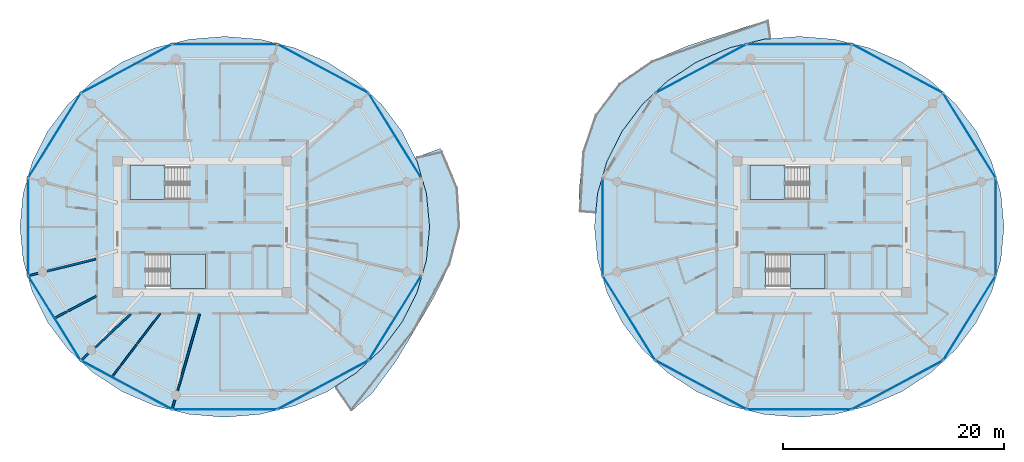
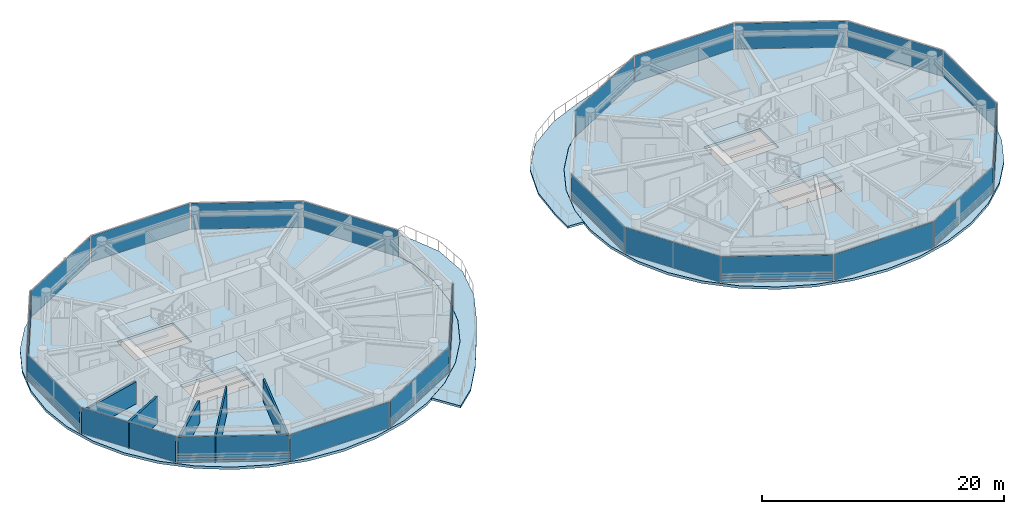
# One storey, part 12 of 22: 22 plates, 8 slabs, 5 walls, 26 elements without a shape of their own.
"""IFC4 building model written with IfcOpenShell, lengths in metres."""

import ifcopenshell
import ifcopenshell.guid

model = None  # the IFC model being written
_history = None  # IfcOwnerHistory: only IFC2X3 demands one
_inside = {}  # id of a spatial element -> (the spatial element, [elements in it])
_under = {}  # id of a project, library or spatial element -> (it, [spatial elements below it])
_declared = {}  # id of a project -> (the project, [libraries it declares])
_typed = {}  # id of a type object -> (the type object, [elements of that type])
_made_of = {}  # id of a material, layer set ... -> (it, [elements and type objects made of it])


def new_model(schema):
    """Start an empty IFC model of exactly this schema.

    Asked for "IFC4X3", IfcOpenShell would pick the latest addendum, in which some entities
    have other attributes; the version numbers below select the first issue.
    IFC2X3 requires an IfcOwnerHistory on every rooted entity: one is made here for all.
    """
    global model, _history
    if schema == "IFC4X3":
        model = ifcopenshell.file(schema_version=(4, 3, 0, 0))
    else:
        model = ifcopenshell.file(schema=schema)
    _inside.clear()
    _under.clear()
    _declared.clear()
    _typed.clear()
    _made_of.clear()
    _history = None
    if model.schema == "IFC2X3":
        org = make("IfcOrganization", Name="unknown")
        user = make(
            "IfcPersonAndOrganization",
            ThePerson=make("IfcPerson", FamilyName="unknown"),
            TheOrganization=org,
        )
        app = make(
            "IfcApplication",
            ApplicationDeveloper=org,
            Version="unknown",
            ApplicationFullName="unknown",
            ApplicationIdentifier="unknown",
        )
        _history = make(
            "IfcOwnerHistory",
            OwningUser=user,
            OwningApplication=app,
            ChangeAction="ADDED",
            CreationDate=0,
        )
    return model


def make(cls, **values):
    """One entity of the class cls with the attributes given. An attribute that is None is left unset."""
    return model.create_entity(
        cls, **{name: value for name, value in values.items() if value is not None}
    )


def rooted(cls, **values):
    """An entity with a GlobalId (a new one), such as an element, a storey or a relation."""
    return make(cls, GlobalId=ifcopenshell.guid.new(), OwnerHistory=_history, **values)


def si_unit(unit_type, name, prefix=None):
    """IfcSIUnit, for example si_unit("LENGTHUNIT", "METRE", prefix="MILLI")."""
    return make("IfcSIUnit", UnitType=unit_type, Prefix=prefix, Name=name)


def assignment(units):
    """IfcUnitAssignment: the units of a project."""
    return None if units is None else make("IfcUnitAssignment", Units=units)


def point(xyz):
    """IfcCartesianPoint."""
    return None if xyz is None else make("IfcCartesianPoint", Coordinates=xyz)


def direction(xyz):
    """IfcDirection."""
    return None if xyz is None else make("IfcDirection", DirectionRatios=xyz)


def frame(location, z_axis=None, x_axis=None):
    """IfcAxis2Placement3D, a coordinate frame: its origin and axes. An axis left out is left unset."""
    return make(
        "IfcAxis2Placement3D",
        Location=point(location),
        Axis=direction(z_axis),
        RefDirection=direction(x_axis),
    )


def frame_2d(location, x_axis=None):
    """IfcAxis2Placement2D, a coordinate frame in the plane: its origin and x axis."""
    return make(
        "IfcAxis2Placement2D", Location=point(location), RefDirection=direction(x_axis)
    )


def origin():
    """The frame at (0, 0, 0) with its axes left unset."""
    return frame((0.0, 0.0, 0.0))


def origin_2d():
    """The frame at (0, 0) in the plane with its x axis left unset."""
    return frame_2d((0.0, 0.0))


def place(relative_to, where):
    """IfcLocalPlacement: puts the frame where relative to a parent placement (None: the world)."""
    return make(
        "IfcLocalPlacement", PlacementRelTo=relative_to, RelativePlacement=where
    )


def context(
    kind, dimensions, precision=None, world=None, true_north=None, identifier=None
):
    """IfcGeometricRepresentationContext, for example the 3D "Model" context."""
    return make(
        "IfcGeometricRepresentationContext",
        ContextIdentifier=identifier,
        ContextType=kind,
        CoordinateSpaceDimension=dimensions,
        Precision=precision,
        WorldCoordinateSystem=world,
        TrueNorth=true_north,
    )


def subcontext(parent, identifier, kind, view, scale=None):
    """IfcGeometricRepresentationSubContext, for example "Body" below "Model"."""
    return make(
        "IfcGeometricRepresentationSubContext",
        ContextIdentifier=identifier,
        ContextType=kind,
        ParentContext=parent,
        TargetScale=scale,
        TargetView=view,
    )


def project(units=None, contexts=None):
    """IfcProject with its units and contexts."""
    return rooted(
        "IfcProject",
        Name="project",
        RepresentationContexts=contexts,
        UnitsInContext=assignment(units),
    )


def spatial(cls, under=None, at=None, **own):
    """A site, building, storey or space (cls), placed at a placement, below another one or the project."""
    s = rooted(cls, ObjectPlacement=at, **own)
    if under is not None:
        _under.setdefault(under.id(), (under, []))[1].append(s)
    return s


def polyline(points):
    """IfcPolyline through the points."""
    return make("IfcPolyline", Points=[point(p) for p in points])


def profile(cls, at=None, kind="AREA", **sizes):
    """A parametric profile (cls). Its sizes go by their IFC names, for example OverallWidth=200.0."""
    return make(cls, ProfileType=kind, Position=at, **sizes)


def rectangle(**sizes):
    """IfcRectangleProfileDef."""
    return profile("IfcRectangleProfileDef", **sizes)


def outline(outer, holes=None, kind="AREA"):
    """IfcArbitraryClosedProfileDef: a profile drawn as a closed curve; with holes, ...WithVoids."""
    if holes is None:
        return make("IfcArbitraryClosedProfileDef", ProfileType=kind, OuterCurve=outer)
    return make(
        "IfcArbitraryProfileDefWithVoids",
        ProfileType=kind,
        OuterCurve=outer,
        InnerCurves=holes,
    )


def extrude(swept, where, along, depth):
    """IfcExtrudedAreaSolid: the profile swept, set in the frame where, extruded along a direction by depth."""
    return make(
        "IfcExtrudedAreaSolid",
        SweptArea=swept,
        Position=where,
        ExtrudedDirection=direction(along),
        Depth=depth,
    )


def shape(context_of_items, identifier, shape_type, items):
    """IfcShapeRepresentation: the items that make up one representation, for example the "Body"."""
    return make(
        "IfcShapeRepresentation",
        ContextOfItems=context_of_items,
        RepresentationIdentifier=identifier,
        RepresentationType=shape_type,
        Items=items,
    )


def source(mapping_origin, context_of_items, identifier, shape_type, items):
    """IfcRepresentationMap: a shape defined once, which mapped items show again and again."""
    return make(
        "IfcRepresentationMap",
        MappingOrigin=mapping_origin,
        MappedRepresentation=shape(context_of_items, identifier, shape_type, items),
    )


def transform(
    local_origin,
    x_axis=None,
    y_axis=None,
    z_axis=None,
    scale=None,
    scale2=None,
    scale3=None,
    uniform=True,
):
    """IfcCartesianTransformationOperator3D, or its non-uniform kind. x_axis, y_axis, z_axis: its Axis1, 2, 3."""
    if uniform:
        return make(
            "IfcCartesianTransformationOperator3D",
            Axis1=direction(x_axis),
            Axis2=direction(y_axis),
            LocalOrigin=point(local_origin),
            Scale=scale,
            Axis3=direction(z_axis),
        )
    return make(
        "IfcCartesianTransformationOperator3DnonUniform",
        Axis1=direction(x_axis),
        Axis2=direction(y_axis),
        LocalOrigin=point(local_origin),
        Scale=scale,
        Axis3=direction(z_axis),
        Scale2=scale2,
        Scale3=scale3,
    )


def mapped(mapping_source, mapping_target):
    """IfcMappedItem: shows the shape of a source again, moved by a transform."""
    return make(
        "IfcMappedItem", MappingSource=mapping_source, MappingTarget=mapping_target
    )


def material(Name=None, Category=None):
    """IfcMaterial."""
    return make("IfcMaterial", Name=Name, Category=Category)


def layer(
    of_material, thickness, ventilated=None, Name=None, Category=None, Priority=None
):
    """IfcMaterialLayer: one layer of a wall or slab, of a material (None: an air gap)."""
    return make(
        "IfcMaterialLayer",
        Material=of_material,
        LayerThickness=thickness,
        IsVentilated=ventilated,
        Name=Name,
        Category=Category,
        Priority=Priority,
    )


def layer_set(layers, Name=None):
    """IfcMaterialLayerSet."""
    return make("IfcMaterialLayerSet", MaterialLayers=layers, LayerSetName=Name)


def made_of(thing, what):
    """Note that an element or type object is made of a material, layer set ...; save() writes the relation."""
    if what is not None:
        _made_of.setdefault(what.id(), (what, []))[1].append(thing)
    return thing


def type_object(cls, material=None, **own):
    """A type object (cls), such as IfcWallType, which elements share."""
    return made_of(rooted(cls, **own), material)


def type_shapes(of_type, sources):
    """Give a type object the sources (RepresentationMaps) that its elements show as mapped items."""
    of_type.RepresentationMaps = sources


def element(
    cls,
    number,
    at=None,
    inside=None,
    cuts=None,
    type_object=None,
    material=None,
    context=None,
    identifier="Body",
    shape_type=None,
    held_by="IfcProductDefinitionShape",
    body=None,
    shapes=None,
    **own,
):
    """One element of the class cls, such as IfcWall. Its Tag is "e" and its number.

    at: its placement. inside: the storey or other place that contains it. cuts: it is an
    opening in that element (IfcRelVoidsElement). A single representation is given by context,
    identifier, shape_type and body (its items); several are given by shapes. held_by: the class
    of the entity that holds the representations. save() writes the other relations.
    """
    e = rooted(cls, Tag="e%d" % number, ObjectPlacement=at, **own)
    if body is not None:
        shapes = [shape(context, identifier, shape_type, body)]
    if shapes is not None:
        e.Representation = make(held_by, Representations=shapes)
    if inside is not None:
        _inside.setdefault(inside.id(), (inside, []))[1].append(e)
    if cuts is not None:
        rooted(
            "IfcRelVoidsElement", RelatingBuildingElement=cuts, RelatedOpeningElement=e
        )
    if type_object is not None:
        _typed.setdefault(type_object.id(), (type_object, []))[1].append(e)
    return made_of(e, material)


def aggregate(whole, parts):
    """IfcRelAggregates: a whole, such as a stair, and the parts it consists of."""
    return rooted("IfcRelAggregates", RelatingObject=whole, RelatedObjects=parts)


def save(model, path):
    """Write the relations noted so far, then the file.

    IfcRelAggregates (storeys below a building ...), IfcRelContainedInSpatialStructure (elements
    in a storey), IfcRelDefinesByType, IfcRelAssociatesMaterial and IfcRelDeclares: one each for
    every whole, place, type object, material and project.
    """
    for whole, parts in _under.values():
        aggregate(whole, parts)
    for where, things in _inside.values():
        rooted(
            "IfcRelContainedInSpatialStructure",
            RelatedElements=things,
            RelatingStructure=where,
        )
    for kind, things in _typed.values():
        rooted("IfcRelDefinesByType", RelatedObjects=things, RelatingType=kind)
    for what, things in _made_of.values():
        rooted("IfcRelAssociatesMaterial", RelatedObjects=things, RelatingMaterial=what)
    for by, libraries in _declared.values():
        rooted("IfcRelDeclares", RelatingContext=by, RelatedDefinitions=libraries)
    model.write(path)


model = new_model("IFC4")

# Units and contexts
model_context = context("Model", 3, precision=1e-05, world=origin(), true_north=direction((0.0, 1.0)))
body_context = subcontext(model_context, "Body", "Model", "MODEL_VIEW")
ifc_project = project(units=[si_unit("LENGTHUNIT", "METRE"), si_unit("AREAUNIT", "SQUARE_METRE"), si_unit("VOLUMEUNIT", "CUBIC_METRE"), si_unit("PLANEANGLEUNIT", "RADIAN"), si_unit("MASSUNIT", "GRAM", prefix="KILO")], contexts=[model_context])

# Site, building, storey
site_placement = place(None, origin())
site = spatial("IfcSite", under=ifc_project, at=site_placement, CompositionType="ELEMENT")
building_placement = place(site_placement, origin())
building = spatial("IfcBuilding", under=site, at=building_placement, Name="Norrkilde Senior Care Towers", CompositionType="ELEMENT")
storey_placement = place(building_placement, frame((0.0, 0.0, 126.75)))
storey = spatial("IfcBuildingStorey", under=building, at=storey_placement, Name="L39", CompositionType="ELEMENT", Elevation=126.75)

# Slabs
ifc_material_1 = material(Name="Concrete C50/60", Category="concrete")
ifc_layer_1 = layer(ifc_material_1, 0.215087890625)
ifc_layer_set_1 = layer_set([ifc_layer_1], Name="Concrete C50/60")
slab_type_1 = type_object("IfcSlabType", Name="Sinusoidal Balcony Ribbon Slab 215", PredefinedType="FLOOR", material=ifc_layer_set_1)
slab_1_placement = place(storey_placement, frame((0.0, 0.0, -0.215087890625)))
element("IfcSlab", 1, at=slab_1_placement, inside=storey, type_object=slab_type_1, Name="L39 Drum W Swirling Senior Balcony 1", PredefinedType="FLOOR", context=body_context, shape_type="SweptSolid", body=[
    extrude(outline(polyline([(-8.778076171875, -9.314453125), (-10.5224609375, -12.189453125), (-12.619873046875, -15.019775390625), (-14.52099609375, -16.665283203125), (-16.02978515625, -14.46533203125), (-14.05517578125, -13.1796875), (-11.7744140625, -11.05908203125), (-9.92431640625, -8.6025390625), (-8.56103515625, -5.884521484375), (-7.72607421875, -2.987548828125), (-7.445068359375, 0.0), (-7.72607421875, 2.987548828125), (-8.56103515625, 5.884521484375), (-8.74609375, 6.253662109375), (-6.4931640625, 7.072509765625), (-6.2705078125, 6.78125), (-4.904541015625, 3.522705078125), (-4.697998046875, 0.0), (-5.590087890625, -3.392822265625), (-7.10595703125, -6.4541015625), (-8.778076171875, -9.314453125)])), origin(), (0.0, 0.0, 1.0), 0.215087890625),
])
slab_2_placement = place(storey_placement, frame((0.0, 0.0, -0.215087890625)))
element("IfcSlab", 2, at=slab_2_placement, inside=storey, type_object=slab_type_1, Name="L39 Drum E Swirling Senior Balcony 1", PredefinedType="FLOOR", context=body_context, shape_type="SweptSolid", body=[
    extrude(outline(polyline([(6.387939453125, 6.7353515625), (7.521728515625, 10.094482421875), (9.68359375, 12.9462890625), (12.635986328125, 14.999267578125), (15.910400390625, 16.36669921875), (19.189208984375, 17.443359375), (22.480712890625, 18.50439453125), (23.1767578125, 18.685302734375), (23.427001953125, 16.999755859375), (22.736572265625, 16.943603515625), (19.620849609375, 16.16748046875), (16.697509765625, 14.89990234375), (14.05517578125, 13.1796875), (11.7744140625, 11.05908203125), (9.92431640625, 8.6025390625), (8.56103515625, 5.884521484375), (7.72607421875, 2.987548828125), (7.5595703125, 1.2177734375), (6.085205078125, 1.3154296875), (6.069091796875, 3.302001953125), (6.387939453125, 6.7353515625)])), origin(), (0.0, 0.0, 1.0), 0.215087890625),
])

# Stair, slab
ifc_material_2 = material(Name="Concrete C45/55", Category="concrete")
stair_type = type_object("IfcStairType", Name="Core Protected Dogleg Stair Typical 3050", PredefinedType="HALF_TURN_STAIR", material=ifc_material_2)
stair_1_placement = place(storey_placement, origin())
stair_1 = element("IfcStair", 3, at=stair_1_placement, inside=storey, type_object=stair_type, Name="L39 Protected Core Stair W1", PredefinedType="HALF_TURN_STAIR")
ifc_layer_2 = layer(ifc_material_2, 0.199951171875)
ifc_layer_set_2 = layer_set([ifc_layer_2], Name="Concrete C45/55")
slab_type_2 = type_object("IfcSlabType", Name="Stair Landing Slab 200", PredefinedType="LANDING", material=ifc_layer_set_2)
slab_3_placement = place(storey_placement, frame((0.0, 0.0, 1.324951171875)))
slab_3 = element("IfcSlab", 4, at=slab_3_placement, type_object=slab_type_2, Name="ST-W1 landing 1", PredefinedType="LANDING", context=body_context, shape_type="SweptSolid", body=[
    extrude(outline(polyline([(-31.340087890625, 5.590087890625), (-34.5, 5.590087890625), (-34.5, 2.449951171875), (-31.340087890625, 2.449951171875), (-31.340087890625, 5.590087890625)])), origin(), (0.0, 0.0, 1.0), 0.199951171875),
])
aggregate(stair_1, [slab_3])

stair_2_placement = place(storey_placement, origin())
stair_2 = element("IfcStair", 5, at=stair_2_placement, inside=storey, type_object=stair_type, Name="L39 Protected Core Stair W2", PredefinedType="HALF_TURN_STAIR")
slab_4_placement = place(storey_placement, frame((0.0, 0.0, 1.324951171875)))
slab_4 = element("IfcSlab", 6, at=slab_4_placement, type_object=slab_type_2, Name="ST-W2 landing 1", PredefinedType="LANDING", context=body_context, shape_type="SweptSolid", body=[
    extrude(outline(polyline([(-30.860107421875, -5.590087890625), (-27.699951171875, -5.590087890625), (-27.699951171875, -2.449951171875), (-30.860107421875, -2.449951171875), (-30.860107421875, -5.590087890625)])), origin(), (0.0, 0.0, 1.0), 0.199951171875),
])
aggregate(stair_2, [slab_4])

stair_3_placement = place(storey_placement, origin())
stair_3 = element("IfcStair", 7, at=stair_3_placement, inside=storey, type_object=stair_type, Name="L39 Protected Core Stair E1", PredefinedType="HALF_TURN_STAIR")
slab_5_placement = place(storey_placement, frame((0.0, 0.0, 1.324951171875)))
slab_5 = element("IfcSlab", 8, at=slab_5_placement, type_object=slab_type_2, Name="ST-E1 landing 1", PredefinedType="LANDING", context=body_context, shape_type="SweptSolid", body=[
    extrude(outline(polyline([(24.659912109375, 5.590087890625), (21.5, 5.590087890625), (21.5, 2.449951171875), (24.659912109375, 2.449951171875), (24.659912109375, 5.590087890625)])), origin(), (0.0, 0.0, 1.0), 0.199951171875),
])
aggregate(stair_3, [slab_5])

stair_4_placement = place(storey_placement, origin())
stair_4 = element("IfcStair", 9, at=stair_4_placement, inside=storey, type_object=stair_type, Name="L39 Protected Core Stair E2", PredefinedType="HALF_TURN_STAIR")
slab_6_placement = place(storey_placement, frame((0.0, 0.0, 1.324951171875)))
slab_6 = element("IfcSlab", 10, at=slab_6_placement, type_object=slab_type_2, Name="ST-E2 landing 1", PredefinedType="LANDING", context=body_context, shape_type="SweptSolid", body=[
    extrude(outline(polyline([(25.139892578125, -5.590087890625), (28.300048828125, -5.590087890625), (28.300048828125, -2.449951171875), (25.139892578125, -2.449951171875), (25.139892578125, -5.590087890625)])), origin(), (0.0, 0.0, 1.0), 0.199951171875),
])
aggregate(stair_4, [slab_6])

# Slabs
ifc_layer_3 = layer(ifc_material_1, 0.260009765625)
ifc_layer_set_3 = layer_set([ifc_layer_3], Name="Concrete C50/60")
slab_type_3 = type_object("IfcSlabType", Name="Tower Care Floor Slab 260", PredefinedType="FLOOR", material=ifc_layer_set_3)
slab_7_placement = place(storey_placement, frame((0.0, 0.0, -0.260009765625)))
element("IfcSlab", 11, at=slab_7_placement, inside=storey, type_object=slab_type_3, Name="L39 Drum W Structural Floor Slab", PredefinedType="FLOOR", context=body_context, shape_type="SweptSolid", body=[
    extrude(outline(polyline([(-8.565673828125, -5.8828125), (-9.928466796875, -8.60009765625), (-11.778076171875, -11.055908203125), (-14.058349609375, -13.176025390625), (-16.699951171875, -14.895751953125), (-19.62255859375, -16.16259765625), (-22.737548828125, -16.938720703125), (-25.949951171875, -17.199951171875), (-29.16259765625, -16.938720703125), (-32.27734375, -16.16259765625), (-35.199951171875, -14.895751953125), (-37.841552734375, -13.176025390625), (-40.121826171875, -11.055908203125), (-41.971435546875, -8.60009765625), (-43.334228515625, -5.8828125), (-44.1689453125, -2.98681640625), (-44.449951171875, 0.0), (-44.1689453125, 2.98681640625), (-43.334228515625, 5.8828125), (-41.971435546875, 8.60009765625), (-40.121826171875, 11.055908203125), (-37.841552734375, 13.176025390625), (-35.199951171875, 14.895751953125), (-32.27734375, 16.16259765625), (-29.16259765625, 16.938720703125), (-25.949951171875, 17.199951171875), (-22.737548828125, 16.938720703125), (-19.62255859375, 16.16259765625), (-16.699951171875, 14.895751953125), (-14.058349609375, 13.176025390625), (-11.778076171875, 11.055908203125), (-9.928466796875, 8.60009765625), (-8.565673828125, 5.8828125), (-7.73095703125, 2.98681640625), (-7.449951171875, 0.0), (-7.73095703125, -2.98681640625), (-8.565673828125, -5.8828125)]), holes=[polyline([(-34.48193359375, 2.468017578125), (-29.117919921875, 2.468017578125), (-29.117919921875, 5.590087890625), (-34.48193359375, 5.590087890625), (-34.48193359375, 2.468017578125)]), polyline([(-27.718017578125, -5.590087890625), (-27.718017578125, -2.468017578125), (-33.08203125, -2.468017578125), (-33.08203125, -5.590087890625), (-27.718017578125, -5.590087890625)])]), origin(), (0.0, 0.0, 1.0), 0.260009765625),
])
slab_8_placement = place(storey_placement, frame((0.0, 0.0, -0.260009765625)))
element("IfcSlab", 12, at=slab_8_placement, inside=storey, type_object=slab_type_3, Name="L39 Drum E Structural Floor Slab", PredefinedType="FLOOR", context=body_context, shape_type="SweptSolid", body=[
    extrude(outline(polyline([(43.334228515625, -5.8828125), (41.971435546875, -8.60009765625), (40.121826171875, -11.055908203125), (37.841552734375, -13.176025390625), (35.199951171875, -14.895751953125), (32.27734375, -16.16259765625), (29.16259765625, -16.938720703125), (25.949951171875, -17.199951171875), (22.737548828125, -16.938720703125), (19.62255859375, -16.16259765625), (16.699951171875, -14.895751953125), (14.058349609375, -13.176025390625), (11.778076171875, -11.055908203125), (9.928466796875, -8.60009765625), (8.565673828125, -5.8828125), (7.73095703125, -2.98681640625), (7.449951171875, 0.0), (7.73095703125, 2.98681640625), (8.565673828125, 5.8828125), (9.928466796875, 8.60009765625), (11.778076171875, 11.055908203125), (14.058349609375, 13.176025390625), (16.699951171875, 14.895751953125), (19.62255859375, 16.16259765625), (22.737548828125, 16.938720703125), (25.949951171875, 17.199951171875), (29.16259765625, 16.938720703125), (32.27734375, 16.16259765625), (35.199951171875, 14.895751953125), (37.841552734375, 13.176025390625), (40.121826171875, 11.055908203125), (41.971435546875, 8.60009765625), (43.334228515625, 5.8828125), (44.1689453125, 2.98681640625), (44.449951171875, 0.0), (44.1689453125, -2.98681640625), (43.334228515625, -5.8828125)]), holes=[polyline([(21.51806640625, 2.468017578125), (26.882080078125, 2.468017578125), (26.882080078125, 5.590087890625), (21.51806640625, 5.590087890625), (21.51806640625, 2.468017578125)]), polyline([(28.281982421875, -5.590087890625), (28.281982421875, -2.468017578125), (22.91796875, -2.468017578125), (22.91796875, -5.590087890625), (28.281982421875, -5.590087890625)])]), origin(), (0.0, 0.0, 1.0), 0.260009765625),
])

# Curtain wall, plate
ifc_material_3 = material(Name="Triple Low-E Insulated Glazing", Category="glass")
ifc_layer_4 = layer(ifc_material_3, 0.195068359375)
ifc_layer_set_4 = layer_set([ifc_layer_4], Name="Triple Low-E Insulated Glazing")
curtain_wall_type = type_object("IfcCurtainWallType", Name="CW3 Zone 2 Assisted Living Curtain Wall", PredefinedType="NOTDEFINED", material=ifc_layer_set_4)
curtain_wall_1_placement = place(storey_placement, origin())
curtain_wall_1 = element("IfcCurtainWall", 13, at=curtain_wall_1_placement, inside=storey, type_object=curtain_wall_type, Name="L39 Drum W Curtain Wall 00", PredefinedType="NOTDEFINED")
ifc_layer_5 = layer(ifc_material_3, 0.035888671875)
ifc_layer_set_5 = layer_set([ifc_layer_5], Name="Triple Low-E Insulated Glazing")
plate_type = type_object("IfcPlateType", Name="Triple Low-E Vision Curtain Panel 36", PredefinedType="CURTAIN_PANEL", material=ifc_layer_set_5)
shared_shape_1 = source(origin(), body_context, "Body", "SweptSolid", [
    extrude(rectangle(XDim=8.88427734375, YDim=0.035888671875, at=origin_2d()), origin(), (0.0, 0.0, 1.0), 2.610107421875),
])
plate_1_placement = place(storey_placement, frame((-10.574951171875, 8.2490234375, 0.06005859375), z_axis=(0.0, 0.0, 1.0), x_axis=(0.527733228002, -0.849410171862, 0.0)))
plate_1 = element("IfcPlate", 14, at=plate_1_placement, type_object=plate_type, Name="CW-3 panel 1.1", PredefinedType="CURTAIN_PANEL", context=body_context, shape_type="MappedRepresentation", body=[
    mapped(shared_shape_1, transform((0.0, 0.0, 0.0), x_axis=(1.0, 0.0, 0.0), y_axis=(0.0, 1.0, 0.0), z_axis=(0.0, 0.0, 1.0), scale=1.0)),
])
aggregate(curtain_wall_1, [plate_1])

curtain_wall_2_placement = place(storey_placement, origin())
curtain_wall_2 = element("IfcCurtainWall", 15, at=curtain_wall_2_placement, inside=storey, type_object=curtain_wall_type, Name="L39 Drum W Curtain Wall 04", PredefinedType="NOTDEFINED")
plate_2_placement = place(storey_placement, frame((-41.3251953125, 8.2490234375, 0.06005859375), z_axis=(0.0, 0.0, 1.0), x_axis=(0.527733228002, 0.849410171862, 0.0)))
plate_2 = element("IfcPlate", 16, at=plate_2_placement, type_object=plate_type, Name="CW-3 panel 1.1", PredefinedType="CURTAIN_PANEL", context=body_context, shape_type="MappedRepresentation", body=[
    mapped(shared_shape_1, transform((0.0, 0.0, 0.0), x_axis=(1.0, 0.0, 0.0), y_axis=(0.0, 1.0, 0.0), z_axis=(0.0, 0.0, 1.0), scale=1.0)),
])
aggregate(curtain_wall_2, [plate_2])

curtain_wall_3_placement = place(storey_placement, origin())
curtain_wall_3 = element("IfcCurtainWall", 17, at=curtain_wall_3_placement, inside=storey, type_object=curtain_wall_type, Name="L39 Drum W Curtain Wall 06", PredefinedType="NOTDEFINED")
plate_3_placement = place(storey_placement, frame((-41.3251953125, -8.2490234375, 0.06005859375), z_axis=(0.0, 0.0, 1.0), x_axis=(-0.527733228002, 0.849410171862, 0.0)))
plate_3 = element("IfcPlate", 18, at=plate_3_placement, type_object=plate_type, Name="CW-3 panel 1.1", PredefinedType="CURTAIN_PANEL", context=body_context, shape_type="MappedRepresentation", body=[
    mapped(shared_shape_1, transform((0.0, 0.0, 0.0), x_axis=(1.0, 0.0, 0.0), y_axis=(0.0, 1.0, 0.0), z_axis=(0.0, 0.0, 1.0), scale=1.0)),
])
aggregate(curtain_wall_3, [plate_3])

curtain_wall_4_placement = place(storey_placement, origin())
curtain_wall_4 = element("IfcCurtainWall", 19, at=curtain_wall_4_placement, inside=storey, type_object=curtain_wall_type, Name="L39 Drum W Curtain Wall 10", PredefinedType="NOTDEFINED")
plate_4_placement = place(storey_placement, frame((-10.574951171875, -8.2490234375, 0.06005859375), z_axis=(0.0, 0.0, 1.0), x_axis=(-0.527733228002, -0.849410171862, 0.0)))
plate_4 = element("IfcPlate", 20, at=plate_4_placement, type_object=plate_type, Name="CW-3 panel 1.1", PredefinedType="CURTAIN_PANEL", context=body_context, shape_type="MappedRepresentation", body=[
    mapped(shared_shape_1, transform((0.0, 0.0, 0.0), x_axis=(1.0, 0.0, 0.0), y_axis=(0.0, 1.0, 0.0), z_axis=(0.0, 0.0, 1.0), scale=1.0)),
])
aggregate(curtain_wall_4, [plate_4])

curtain_wall_5_placement = place(storey_placement, origin())
curtain_wall_5 = element("IfcCurtainWall", 21, at=curtain_wall_5_placement, inside=storey, type_object=curtain_wall_type, Name="L39 Drum E Curtain Wall 00", PredefinedType="NOTDEFINED")
plate_5_placement = place(storey_placement, frame((41.3251953125, 8.2490234375, 0.06005859375), z_axis=(0.0, 0.0, 1.0), x_axis=(0.527733228002, -0.849410171862, 0.0)))
plate_5 = element("IfcPlate", 22, at=plate_5_placement, type_object=plate_type, Name="CW-3 panel 1.1", PredefinedType="CURTAIN_PANEL", context=body_context, shape_type="MappedRepresentation", body=[
    mapped(shared_shape_1, transform((0.0, 0.0, 0.0), x_axis=(1.0, 0.0, 0.0), y_axis=(0.0, 1.0, 0.0), z_axis=(0.0, 0.0, 1.0), scale=1.0)),
])
aggregate(curtain_wall_5, [plate_5])

curtain_wall_6_placement = place(storey_placement, origin())
curtain_wall_6 = element("IfcCurtainWall", 23, at=curtain_wall_6_placement, inside=storey, type_object=curtain_wall_type, Name="L39 Drum E Curtain Wall 06", PredefinedType="NOTDEFINED")
plate_6_placement = place(storey_placement, frame((10.574951171875, -8.2490234375, 0.06005859375), z_axis=(0.0, 0.0, 1.0), x_axis=(-0.527733228002, 0.849410171862, 0.0)))
plate_6 = element("IfcPlate", 24, at=plate_6_placement, type_object=plate_type, Name="CW-3 panel 1.1", PredefinedType="CURTAIN_PANEL", context=body_context, shape_type="MappedRepresentation", body=[
    mapped(shared_shape_1, transform((0.0, 0.0, 0.0), x_axis=(1.0, 0.0, 0.0), y_axis=(0.0, 1.0, 0.0), z_axis=(0.0, 0.0, 1.0), scale=1.0)),
])
aggregate(curtain_wall_6, [plate_6])

curtain_wall_7_placement = place(storey_placement, origin())
curtain_wall_7 = element("IfcCurtainWall", 25, at=curtain_wall_7_placement, inside=storey, type_object=curtain_wall_type, Name="L39 Drum E Curtain Wall 10", PredefinedType="NOTDEFINED")
plate_7_placement = place(storey_placement, frame((41.3251953125, -8.2490234375, 0.06005859375), z_axis=(0.0, 0.0, 1.0), x_axis=(-0.527733228002, -0.849410171862, 0.0)))
plate_7 = element("IfcPlate", 26, at=plate_7_placement, type_object=plate_type, Name="CW-3 panel 1.1", PredefinedType="CURTAIN_PANEL", context=body_context, shape_type="MappedRepresentation", body=[
    mapped(shared_shape_1, transform((0.0, 0.0, 0.0), x_axis=(1.0, 0.0, 0.0), y_axis=(0.0, 1.0, 0.0), z_axis=(0.0, 0.0, 1.0), scale=1.0)),
])
aggregate(curtain_wall_7, [plate_7])

curtain_wall_8_placement = place(storey_placement, origin())
curtain_wall_8 = element("IfcCurtainWall", 27, at=curtain_wall_8_placement, inside=storey, type_object=curtain_wall_type, Name="L39 Drum W Curtain Wall 01", PredefinedType="NOTDEFINED")
shared_shape_2 = source(origin(), body_context, "Body", "SweptSolid", [
    extrude(rectangle(XDim=9.220458984375, YDim=0.035888671875, at=origin_2d()), origin(), (0.0, 0.0, 1.0), 2.610107421875),
])
plate_8_placement = place(storey_placement, frame((-17.0732421875, 14.28759765625, 0.06005859375), z_axis=(0.0, 0.0, 1.0), x_axis=(0.881186184668, -0.472769402511, 0.0)))
plate_8 = element("IfcPlate", 28, at=plate_8_placement, type_object=plate_type, Name="CW-3 panel 1.1", PredefinedType="CURTAIN_PANEL", context=body_context, shape_type="MappedRepresentation", body=[
    mapped(shared_shape_2, transform((0.0, 0.0, 0.0), x_axis=(1.0, 0.0, 0.0), y_axis=(0.0, 1.0, 0.0), z_axis=(0.0, 0.0, 1.0), scale=1.0)),
])
aggregate(curtain_wall_8, [plate_8])

curtain_wall_9_placement = place(storey_placement, origin())
curtain_wall_9 = element("IfcCurtainWall", 29, at=curtain_wall_9_placement, inside=storey, type_object=curtain_wall_type, Name="L39 Drum W Curtain Wall 03", PredefinedType="NOTDEFINED")
plate_9_placement = place(storey_placement, frame((-34.826904296875, 14.28759765625, 0.06005859375), z_axis=(0.0, 0.0, 1.0), x_axis=(0.881186184668, 0.472769402511, 0.0)))
plate_9 = element("IfcPlate", 30, at=plate_9_placement, type_object=plate_type, Name="CW-3 panel 1.1", PredefinedType="CURTAIN_PANEL", context=body_context, shape_type="MappedRepresentation", body=[
    mapped(shared_shape_2, transform((0.0, 0.0, 0.0), x_axis=(1.0, 0.0, 0.0), y_axis=(0.0, 1.0, 0.0), z_axis=(0.0, 0.0, 1.0), scale=1.0)),
])
aggregate(curtain_wall_9, [plate_9])

curtain_wall_10_placement = place(storey_placement, origin())
curtain_wall_10 = element("IfcCurtainWall", 31, at=curtain_wall_10_placement, inside=storey, type_object=curtain_wall_type, Name="L39 Drum W Curtain Wall 07", PredefinedType="NOTDEFINED")
plate_10_placement = place(storey_placement, frame((-34.826904296875, -14.28759765625, 0.06005859375), z_axis=(0.0, 0.0, 1.0), x_axis=(-0.881186184668, 0.472769402511, 0.0)))
plate_10 = element("IfcPlate", 32, at=plate_10_placement, type_object=plate_type, Name="CW-3 panel 1.1", PredefinedType="CURTAIN_PANEL", context=body_context, shape_type="MappedRepresentation", body=[
    mapped(shared_shape_2, transform((0.0, 0.0, 0.0), x_axis=(1.0, 0.0, 0.0), y_axis=(0.0, 1.0, 0.0), z_axis=(0.0, 0.0, 1.0), scale=1.0)),
])
aggregate(curtain_wall_10, [plate_10])

curtain_wall_11_placement = place(storey_placement, origin())
curtain_wall_11 = element("IfcCurtainWall", 33, at=curtain_wall_11_placement, inside=storey, type_object=curtain_wall_type, Name="L39 Drum W Curtain Wall 09", PredefinedType="NOTDEFINED")
plate_11_placement = place(storey_placement, frame((-17.0732421875, -14.28759765625, 0.06005859375), z_axis=(0.0, 0.0, 1.0), x_axis=(-0.881186184668, -0.472769402511, 0.0)))
plate_11 = element("IfcPlate", 34, at=plate_11_placement, type_object=plate_type, Name="CW-3 panel 1.1", PredefinedType="CURTAIN_PANEL", context=body_context, shape_type="MappedRepresentation", body=[
    mapped(shared_shape_2, transform((0.0, 0.0, 0.0), x_axis=(1.0, 0.0, 0.0), y_axis=(0.0, 1.0, 0.0), z_axis=(0.0, 0.0, 1.0), scale=1.0)),
])
aggregate(curtain_wall_11, [plate_11])

curtain_wall_12_placement = place(storey_placement, origin())
curtain_wall_12 = element("IfcCurtainWall", 35, at=curtain_wall_12_placement, inside=storey, type_object=curtain_wall_type, Name="L39 Drum E Curtain Wall 01", PredefinedType="NOTDEFINED")
plate_12_placement = place(storey_placement, frame((34.826904296875, 14.28759765625, 0.06005859375), z_axis=(0.0, 0.0, 1.0), x_axis=(0.881186184668, -0.472769402511, 0.0)))
plate_12 = element("IfcPlate", 36, at=plate_12_placement, type_object=plate_type, Name="CW-3 panel 1.1", PredefinedType="CURTAIN_PANEL", context=body_context, shape_type="MappedRepresentation", body=[
    mapped(shared_shape_2, transform((0.0, 0.0, 0.0), x_axis=(1.0, 0.0, 0.0), y_axis=(0.0, 1.0, 0.0), z_axis=(0.0, 0.0, 1.0), scale=1.0)),
])
aggregate(curtain_wall_12, [plate_12])

curtain_wall_13_placement = place(storey_placement, origin())
curtain_wall_13 = element("IfcCurtainWall", 37, at=curtain_wall_13_placement, inside=storey, type_object=curtain_wall_type, Name="L39 Drum E Curtain Wall 03", PredefinedType="NOTDEFINED")
plate_13_placement = place(storey_placement, frame((17.0732421875, 14.28759765625, 0.06005859375), z_axis=(0.0, 0.0, 1.0), x_axis=(0.881186184668, 0.472769402511, 0.0)))
plate_13 = element("IfcPlate", 38, at=plate_13_placement, type_object=plate_type, Name="CW-3 panel 1.1", PredefinedType="CURTAIN_PANEL", context=body_context, shape_type="MappedRepresentation", body=[
    mapped(shared_shape_2, transform((0.0, 0.0, 0.0), x_axis=(1.0, 0.0, 0.0), y_axis=(0.0, 1.0, 0.0), z_axis=(0.0, 0.0, 1.0), scale=1.0)),
])
aggregate(curtain_wall_13, [plate_13])

curtain_wall_14_placement = place(storey_placement, origin())
curtain_wall_14 = element("IfcCurtainWall", 39, at=curtain_wall_14_placement, inside=storey, type_object=curtain_wall_type, Name="L39 Drum E Curtain Wall 07", PredefinedType="NOTDEFINED")
plate_14_placement = place(storey_placement, frame((17.0732421875, -14.28759765625, 0.06005859375), z_axis=(0.0, 0.0, 1.0), x_axis=(-0.881186184668, 0.472769402511, 0.0)))
plate_14 = element("IfcPlate", 40, at=plate_14_placement, type_object=plate_type, Name="CW-3 panel 1.1", PredefinedType="CURTAIN_PANEL", context=body_context, shape_type="MappedRepresentation", body=[
    mapped(shared_shape_2, transform((0.0, 0.0, 0.0), x_axis=(1.0, 0.0, 0.0), y_axis=(0.0, 1.0, 0.0), z_axis=(0.0, 0.0, 1.0), scale=1.0)),
])
aggregate(curtain_wall_14, [plate_14])

curtain_wall_15_placement = place(storey_placement, origin())
curtain_wall_15 = element("IfcCurtainWall", 41, at=curtain_wall_15_placement, inside=storey, type_object=curtain_wall_type, Name="L39 Drum E Curtain Wall 09", PredefinedType="NOTDEFINED")
plate_15_placement = place(storey_placement, frame((34.826904296875, -14.28759765625, 0.06005859375), z_axis=(0.0, 0.0, 1.0), x_axis=(-0.881186184668, -0.472769402511, 0.0)))
plate_15 = element("IfcPlate", 42, at=plate_15_placement, type_object=plate_type, Name="CW-3 panel 1.1", PredefinedType="CURTAIN_PANEL", context=body_context, shape_type="MappedRepresentation", body=[
    mapped(shared_shape_2, transform((0.0, 0.0, 0.0), x_axis=(1.0, 0.0, 0.0), y_axis=(0.0, 1.0, 0.0), z_axis=(0.0, 0.0, 1.0), scale=1.0)),
])
aggregate(curtain_wall_15, [plate_15])

curtain_wall_16_placement = place(storey_placement, origin())
curtain_wall_16 = element("IfcCurtainWall", 43, at=curtain_wall_16_placement, inside=storey, type_object=curtain_wall_type, Name="L39 Drum W Curtain Wall 02", PredefinedType="NOTDEFINED")
shared_shape_3 = source(origin(), body_context, "Body", "SweptSolid", [
    extrude(rectangle(XDim=9.38427734375, YDim=0.035888671875, at=origin_2d()), origin(), (0.0, 0.0, 1.0), 2.610107421875),
])
plate_16_placement = place(storey_placement, frame((-25.949951171875, 16.498046875, 0.06005859375), z_axis=(0.0, 0.0, 1.0), x_axis=(1.0, 0.0, 0.0)))
plate_16 = element("IfcPlate", 44, at=plate_16_placement, type_object=plate_type, Name="CW-3 panel 1.1", PredefinedType="CURTAIN_PANEL", context=body_context, shape_type="MappedRepresentation", body=[
    mapped(shared_shape_3, transform((0.0, 0.0, 0.0), x_axis=(1.0, 0.0, 0.0), y_axis=(0.0, 1.0, 0.0), z_axis=(0.0, 0.0, 1.0), scale=1.0)),
])
aggregate(curtain_wall_16, [plate_16])

curtain_wall_17_placement = place(storey_placement, origin())
curtain_wall_17 = element("IfcCurtainWall", 45, at=curtain_wall_17_placement, inside=storey, type_object=curtain_wall_type, Name="L39 Drum W Curtain Wall 08", PredefinedType="NOTDEFINED")
plate_17_placement = place(storey_placement, frame((-25.949951171875, -16.498046875, 0.06005859375), z_axis=(0.0, 0.0, 1.0), x_axis=(-1.0, 0.0, 0.0)))
plate_17 = element("IfcPlate", 46, at=plate_17_placement, type_object=plate_type, Name="CW-3 panel 1.1", PredefinedType="CURTAIN_PANEL", context=body_context, shape_type="MappedRepresentation", body=[
    mapped(shared_shape_3, transform((0.0, 0.0, 0.0), x_axis=(1.0, 0.0, 0.0), y_axis=(0.0, 1.0, 0.0), z_axis=(0.0, 0.0, 1.0), scale=1.0)),
])
aggregate(curtain_wall_17, [plate_17])

curtain_wall_18_placement = place(storey_placement, origin())
curtain_wall_18 = element("IfcCurtainWall", 47, at=curtain_wall_18_placement, inside=storey, type_object=curtain_wall_type, Name="L39 Drum E Curtain Wall 02", PredefinedType="NOTDEFINED")
plate_18_placement = place(storey_placement, frame((25.949951171875, 16.498046875, 0.06005859375), z_axis=(0.0, 0.0, 1.0), x_axis=(1.0, 0.0, 0.0)))
plate_18 = element("IfcPlate", 48, at=plate_18_placement, type_object=plate_type, Name="CW-3 panel 1.1", PredefinedType="CURTAIN_PANEL", context=body_context, shape_type="MappedRepresentation", body=[
    mapped(shared_shape_3, transform((0.0, 0.0, 0.0), x_axis=(1.0, 0.0, 0.0), y_axis=(0.0, 1.0, 0.0), z_axis=(0.0, 0.0, 1.0), scale=1.0)),
])
aggregate(curtain_wall_18, [plate_18])

curtain_wall_19_placement = place(storey_placement, origin())
curtain_wall_19 = element("IfcCurtainWall", 49, at=curtain_wall_19_placement, inside=storey, type_object=curtain_wall_type, Name="L39 Drum E Curtain Wall 08", PredefinedType="NOTDEFINED")
plate_19_placement = place(storey_placement, frame((25.949951171875, -16.498046875, 0.06005859375), z_axis=(0.0, 0.0, 1.0), x_axis=(-1.0, 0.0, 0.0)))
plate_19 = element("IfcPlate", 50, at=plate_19_placement, type_object=plate_type, Name="CW-3 panel 1.1", PredefinedType="CURTAIN_PANEL", context=body_context, shape_type="MappedRepresentation", body=[
    mapped(shared_shape_3, transform((0.0, 0.0, 0.0), x_axis=(1.0, 0.0, 0.0), y_axis=(0.0, 1.0, 0.0), z_axis=(0.0, 0.0, 1.0), scale=1.0)),
])
aggregate(curtain_wall_19, [plate_19])

curtain_wall_20_placement = place(storey_placement, origin())
curtain_wall_20 = element("IfcCurtainWall", 51, at=curtain_wall_20_placement, inside=storey, type_object=curtain_wall_type, Name="L39 Drum W Curtain Wall 05", PredefinedType="NOTDEFINED")
shared_shape_4 = source(origin(), body_context, "Body", "SweptSolid", [
    extrude(rectangle(XDim=8.711181640625, YDim=0.035888671875, at=origin_2d()), origin(), (0.0, 0.0, 1.0), 2.610107421875),
])
type_shapes(plate_type, [shared_shape_1, shared_shape_2, shared_shape_3, shared_shape_4])
plate_20_placement = place(storey_placement, frame((-43.70361328125, 0.0, 0.06005859375), z_axis=(0.0, 0.0, 1.0), x_axis=(0.0, 1.0, 0.0)))
plate_20 = element("IfcPlate", 52, at=plate_20_placement, type_object=plate_type, Name="CW-3 panel 1.1", PredefinedType="CURTAIN_PANEL", context=body_context, shape_type="MappedRepresentation", body=[
    mapped(shared_shape_4, transform((0.0, 0.0, 0.0), x_axis=(1.0, 0.0, 0.0), y_axis=(0.0, 1.0, 0.0), z_axis=(0.0, 0.0, 1.0), scale=1.0)),
])
aggregate(curtain_wall_20, [plate_20])

curtain_wall_21_placement = place(storey_placement, origin())
curtain_wall_21 = element("IfcCurtainWall", 53, at=curtain_wall_21_placement, inside=storey, type_object=curtain_wall_type, Name="L39 Drum E Curtain Wall 05", PredefinedType="NOTDEFINED")
plate_21_placement = place(storey_placement, frame((8.1962890625, 0.0, 0.06005859375), z_axis=(0.0, 0.0, 1.0), x_axis=(0.0, 1.0, 0.0)))
plate_21 = element("IfcPlate", 54, at=plate_21_placement, type_object=plate_type, Name="CW-3 panel 1.1", PredefinedType="CURTAIN_PANEL", context=body_context, shape_type="MappedRepresentation", body=[
    mapped(shared_shape_4, transform((0.0, 0.0, 0.0), x_axis=(1.0, 0.0, 0.0), y_axis=(0.0, 1.0, 0.0), z_axis=(0.0, 0.0, 1.0), scale=1.0)),
])
aggregate(curtain_wall_21, [plate_21])

curtain_wall_22_placement = place(storey_placement, origin())
curtain_wall_22 = element("IfcCurtainWall", 55, at=curtain_wall_22_placement, inside=storey, type_object=curtain_wall_type, Name="L39 Drum E Curtain Wall 11", PredefinedType="NOTDEFINED")
plate_22_placement = place(storey_placement, frame((43.70361328125, 0.0, 0.06005859375), z_axis=(0.0, 0.0, 1.0), x_axis=(0.0, -1.0, 0.0)))
plate_22 = element("IfcPlate", 56, at=plate_22_placement, type_object=plate_type, Name="CW-3 panel 1.1", PredefinedType="CURTAIN_PANEL", context=body_context, shape_type="MappedRepresentation", body=[
    mapped(shared_shape_4, transform((0.0, 0.0, 0.0), x_axis=(1.0, 0.0, 0.0), y_axis=(0.0, 1.0, 0.0), z_axis=(0.0, 0.0, 1.0), scale=1.0)),
])
aggregate(curtain_wall_22, [plate_22])

# Walls
ifc_material_4 = material(Name="Gypsum Acoustic Board")
ifc_layer_6 = layer(ifc_material_4, 0.1650390625)
ifc_layer_set_6 = layer_set([ifc_layer_6], Name="Gypsum Acoustic Board")
wall_type_1 = type_object("IfcWallType", Name="Corridor Rated Partition 165", PredefinedType="PARTITIONING", material=ifc_layer_set_6)
shared_shape_5 = source(origin(), body_context, "Body", "SweptSolid", [
    extrude(rectangle(XDim=8.9892578125, YDim=0.1650390625, at=frame_2d((4.49462890625, 0.0))), origin(), (0.0, 0.0, 1.0), 2.215087890625),
])
type_shapes(wall_type_1, [shared_shape_5])
wall_1_placement = place(storey_placement, frame((-28.221923828125, -7.8798828125, 0.0), z_axis=(0.0, 0.0, 1.0), x_axis=(-0.27702323008, -0.960863221274, 0.0)))
element("IfcWall", 57, at=wall_1_placement, inside=storey, type_object=wall_type_1, Name="WL-INT-L39-W-DEM-08-0", PredefinedType="PARTITIONING", context=body_context, shape_type="MappedRepresentation", body=[
    mapped(shared_shape_5, transform((0.0, 0.0, 0.0), x_axis=(1.0, 0.0, 0.0), y_axis=(0.0, 1.0, 0.0), z_axis=(0.0, 0.0, 1.0), scale=1.0)),
])
ifc_layer_7 = layer(ifc_material_4, 0.18994140625)
ifc_layer_set_7 = layer_set([ifc_layer_7], Name="Gypsum Acoustic Board")
wall_type_2 = type_object("IfcWallType", Name="Unit Demising Acoustic Wall 190", PredefinedType="PARTITIONING", material=ifc_layer_set_7)
shared_shape_6 = source(origin(), body_context, "Body", "SweptSolid", [
    extrude(rectangle(XDim=6.33056640625, YDim=0.18994140625, at=frame_2d((3.165283203125, 0.0))), origin(), (0.0, 0.0, 1.0), 2.215087890625),
])
wall_2_placement = place(storey_placement, frame((-37.580078125, -2.89599609375, 0.0), z_axis=(0.0, 0.0, 1.0), x_axis=(-0.97036440661, -0.241646267062, 0.0)))
element("IfcWall", 58, at=wall_2_placement, inside=storey, type_object=wall_type_2, Name="WL-INT-L39-W-DEM-06-0", PredefinedType="PARTITIONING", context=body_context, shape_type="MappedRepresentation", body=[
    mapped(shared_shape_6, transform((0.0, 0.0, 0.0), x_axis=(1.0, 0.0, 0.0), y_axis=(0.0, 1.0, 0.0), z_axis=(0.0, 0.0, 1.0), scale=1.0)),
])
shared_shape_7 = source(origin(), body_context, "Body", "SweptSolid", [
    extrude(rectangle(XDim=6.186767578125, YDim=0.18994140625, at=frame_2d((3.09326171875, 0.0))), origin(), (0.0, 0.0, 1.0), 2.215087890625),
])
wall_3_placement = place(storey_placement, frame((-34.428955078125, -7.8798828125, 0.0), z_axis=(0.0, 0.0, 1.0), x_axis=(-0.732501077882, -0.680765870841, 0.0)))
element("IfcWall", 59, at=wall_3_placement, inside=storey, type_object=wall_type_2, Name="WL-INT-L39-W-DEM-07-0", PredefinedType="PARTITIONING", context=body_context, shape_type="MappedRepresentation", body=[
    mapped(shared_shape_7, transform((0.0, 0.0, 0.0), x_axis=(1.0, 0.0, 0.0), y_axis=(0.0, 1.0, 0.0), z_axis=(0.0, 0.0, 1.0), scale=1.0)),
])
shared_shape_8 = source(origin(), body_context, "Body", "SweptSolid", [
    extrude(rectangle(XDim=4.309814453125, YDim=0.18994140625, at=frame_2d((2.15478515625, 0.0))), origin(), (0.0, 0.0, 1.0), 2.715087890625),
])
type_shapes(wall_type_2, [shared_shape_6, shared_shape_7, shared_shape_8])
wall_4_placement = place(storey_placement, frame((-37.530029296875, -6.24755859375, 0.0), z_axis=(0.0, 0.0, 1.0), x_axis=(-0.884459441503, -0.466617076773, 0.0)))
element("IfcWall", 60, at=wall_4_placement, inside=storey, type_object=wall_type_2, Name="WL-INT-L39-W-MID-06", PredefinedType="PARTITIONING", context=body_context, shape_type="MappedRepresentation", body=[
    mapped(shared_shape_8, transform((0.0, 0.0, 0.0), x_axis=(1.0, 0.0, 0.0), y_axis=(0.0, 1.0, 0.0), z_axis=(0.0, 0.0, 1.0), scale=1.0)),
])
ifc_layer_8 = layer(ifc_material_4, 0.139892578125)
ifc_layer_set_8 = layer_set([ifc_layer_8], Name="Gypsum Acoustic Board")
wall_type_3 = type_object("IfcWallType", Name="En-suite Wet Room Wall 140", PredefinedType="PARTITIONING", material=ifc_layer_set_8)
shared_shape_9 = source(origin(), body_context, "Body", "SweptSolid", [
    extrude(rectangle(XDim=7.24267578125, YDim=0.139892578125, at=frame_2d((3.621337890625, 0.0))), origin(), (0.0, 0.0, 1.0), 2.715087890625),
])
type_shapes(wall_type_3, [shared_shape_9])
wall_5_placement = place(storey_placement, frame((-31.773681640625, -7.830078125, 0.0), z_axis=(0.0, 0.0, 1.0), x_axis=(-0.605111472002, -0.796140757939, 0.0)))
element("IfcWall", 61, at=wall_5_placement, inside=storey, type_object=wall_type_3, Name="WL-INT-L39-W-MID-07", PredefinedType="PARTITIONING", context=body_context, shape_type="MappedRepresentation", body=[
    mapped(shared_shape_9, transform((0.0, 0.0, 0.0), x_axis=(1.0, 0.0, 0.0), y_axis=(0.0, 1.0, 0.0), z_axis=(0.0, 0.0, 1.0), scale=1.0)),
])

save(model, "model.ifc")
